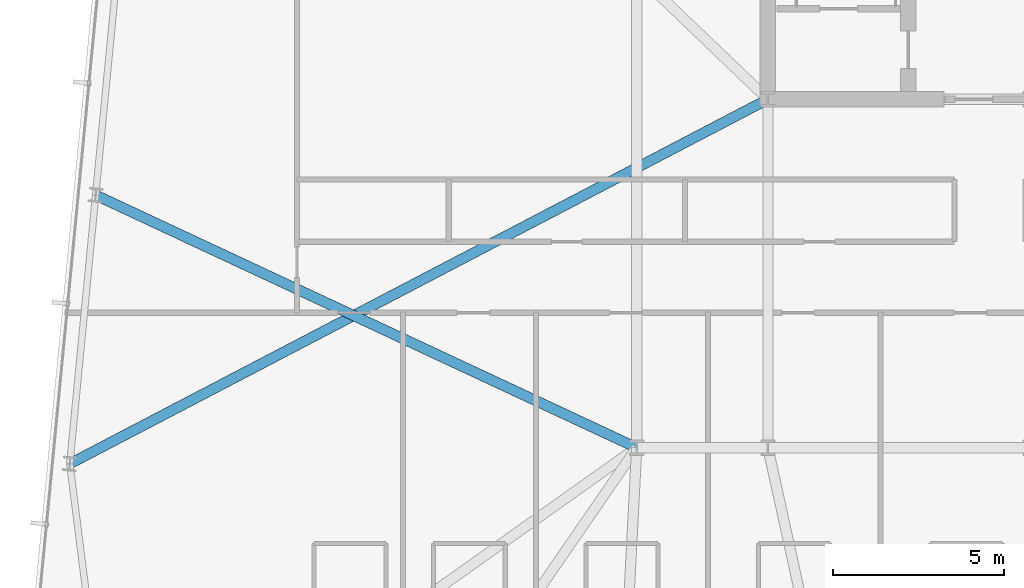
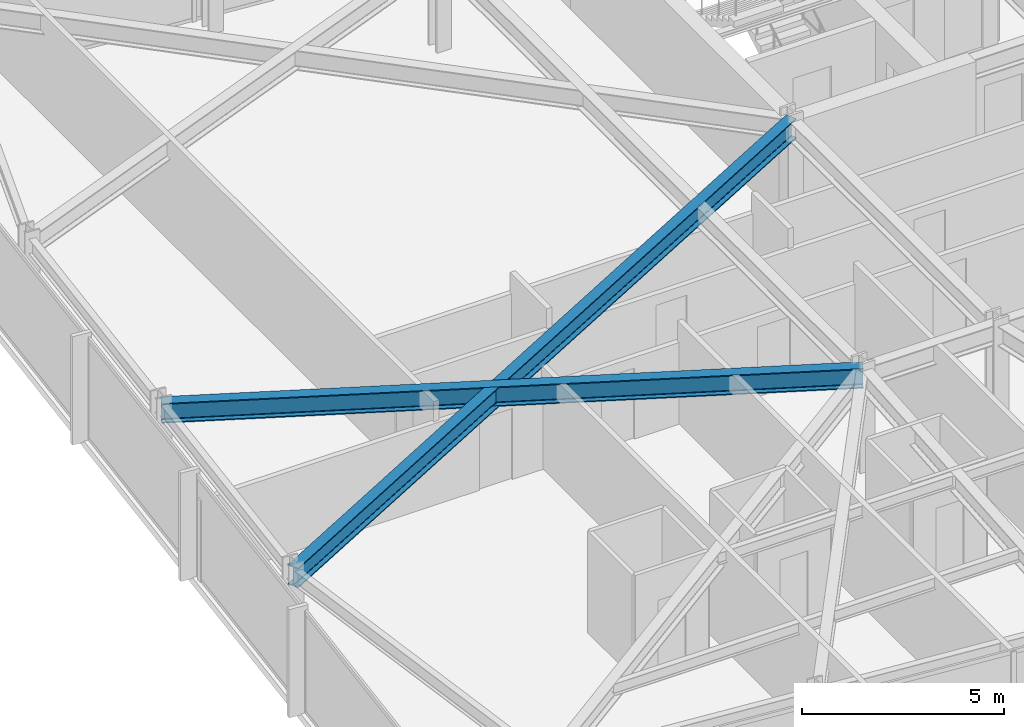
# One storey, part 9 of 37: 2 beams.
"""IFC4 building model written with IfcOpenShell, lengths in metres."""

from ifc_helpers import new_model, si_unit, direction, frame, origin, origin_2d, place, context, subcontext, project, spatial, i_section, extrude, material, material_profile, profile_set, type_object, element, save


model = new_model("IFC4")

# Units and contexts
model_context = context("Model", 3, precision=1e-05, world=origin(), true_north=direction((0.0, 1.0)))
body_context = subcontext(model_context, "Body", "Model", "MODEL_VIEW")
ifc_project = project(units=[si_unit("LENGTHUNIT", "METRE"), si_unit("AREAUNIT", "SQUARE_METRE"), si_unit("VOLUMEUNIT", "CUBIC_METRE"), si_unit("PLANEANGLEUNIT", "RADIAN"), si_unit("MASSUNIT", "GRAM", prefix="KILO")], contexts=[model_context])

# Site, building, storey
site_placement = place(None, origin())
site = spatial("IfcSite", under=ifc_project, at=site_placement, CompositionType="ELEMENT")
building_placement = place(site_placement, origin())
building = spatial("IfcBuilding", under=site, at=building_placement, Name="Yelkora Congress Tower", CompositionType="ELEMENT")
storey_placement = place(building_placement, frame((0.0, 0.0, 182.0)))
storey = spatial("IfcBuildingStorey", under=building, at=storey_placement, Name="L50", CompositionType="ELEMENT", Elevation=182.0)

# Beams
ifc_material = material(Name="Steel S355J2", Category="steel")
ifc_material_profile = material_profile(ifc_material, i_section(OverallWidth=0.300048828125, OverallDepth=0.60009765625, WebThickness=0.015380859375, FlangeThickness=0.030029296875, FilletRadius=0.027099609375, at=origin_2d()), Name="HEB 600")
ifc_profile_set = profile_set([ifc_material_profile], Name="Steel S355J2")
beam_type = type_object("IfcBeamType", Name="BM-GIRD-HEB600", PredefinedType="BEAM", material=ifc_profile_set)
beam_1_placement = place(storey_placement, frame((2.607421875, 24.730712890625, 2.780029296875), z_axis=(0.886430124978, 0.462862434781, 0.0), x_axis=(-0.462862434781, 0.886430124978, 0.0)))
element("IfcBeam", 1, at=beam_1_placement, inside=storey, type_object=beam_type, Name="L50 Primary Frame Girder W01", PredefinedType="BEAM", context=body_context, shape_type="SweptSolid", body=[
    extrude(i_section(OverallWidth=0.300048828125, OverallDepth=0.60009765625, WebThickness=0.015380859375, FlangeThickness=0.030029296875, FilletRadius=0.027099609375, at=origin_2d()), origin(), (0.0, 0.0, 1.0), 23.050537109375),
])
beam_2_placement = place(storey_placement, frame((3.364501953125, 32.594482421875, 2.780029296875), z_axis=(0.906081045456, -0.423104170466, 0.0), x_axis=(0.423104170466, 0.906081045456, 0.0)))
element("IfcBeam", 2, at=beam_2_placement, inside=storey, type_object=beam_type, Name="L50 Primary Frame Girder W02", PredefinedType="BEAM", context=body_context, shape_type="SweptSolid", body=[
    extrude(i_section(OverallWidth=0.300048828125, OverallDepth=0.60009765625, WebThickness=0.015380859375, FlangeThickness=0.030029296875, FilletRadius=0.027099609375, at=origin_2d()), origin(), (0.0, 0.0, 1.0), 17.476806640625),
])

save(model, "model.ifc")
